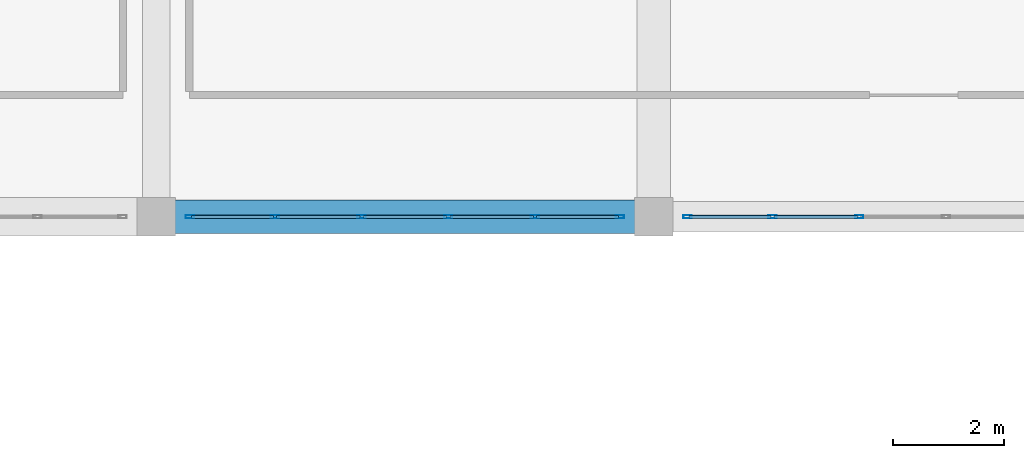
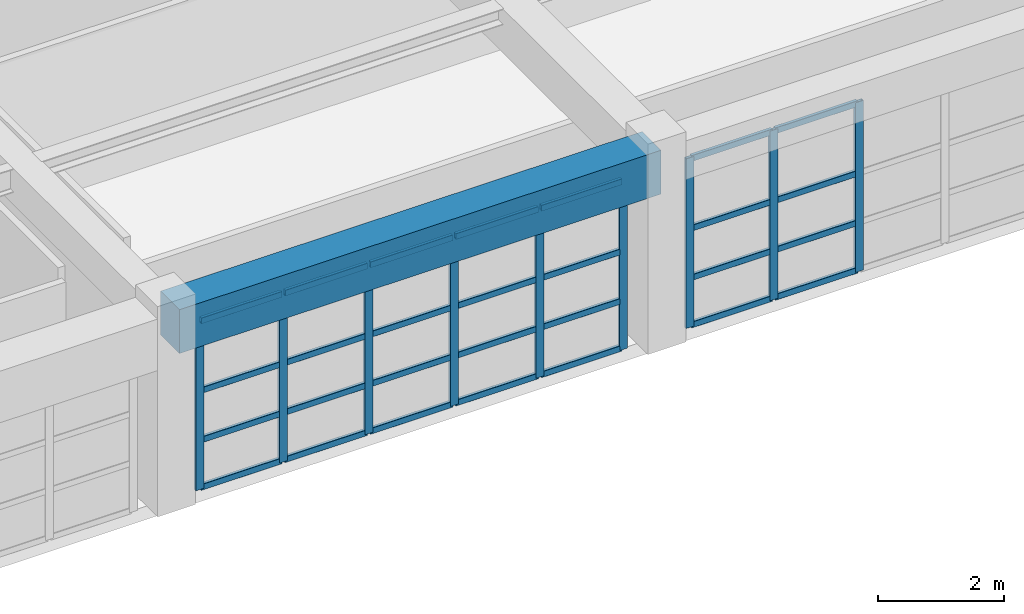
# One storey, part 63 of 130: 37 members, 1 beam, 2 elements without a shape of their own.
"""IFC4 building model written with IfcOpenShell, lengths in metres."""

from ifc_helpers import new_model, si_unit, direction, frame, origin, origin_2d, place, context, subcontext, project, spatial, rectangle, hollow_rectangle, extrude, material, material_profile, profile_set, type_object, element, aggregate, save


model = new_model("IFC4")

# Units and contexts
model_context = context("Model", 3, precision=1e-05, world=origin(), true_north=direction((0.0, 1.0)))
body_context = subcontext(model_context, "Body", "Model", "MODEL_VIEW")
ifc_project = project(units=[si_unit("LENGTHUNIT", "METRE"), si_unit("AREAUNIT", "SQUARE_METRE"), si_unit("VOLUMEUNIT", "CUBIC_METRE"), si_unit("PLANEANGLEUNIT", "RADIAN"), si_unit("MASSUNIT", "GRAM", prefix="KILO")], contexts=[model_context])

# Site, building, storey
site_placement = place(None, origin())
site = spatial("IfcSite", under=ifc_project, at=site_placement, CompositionType="ELEMENT")
building_placement = place(site_placement, origin())
building = spatial("IfcBuilding", under=site, at=building_placement, Name="Miravela Opera House", CompositionType="ELEMENT")
storey_placement = place(building_placement, frame((0.0, 0.0, 9.52001953125)))
storey = spatial("IfcBuildingStorey", under=building, at=storey_placement, Name="L02", CompositionType="ELEMENT", Elevation=9.52001953125)

# Curtain wall, members
ifc_material_1 = material(Name="Anodised architectural bronze aluminium 6063-T6", Category="aluminium")
curtain_wall_type = type_object("IfcCurtainWallType", Name="ARC-CW-05", PredefinedType="NOTDEFINED", material=ifc_material_1)
curtain_wall_1_placement = place(storey_placement, origin())
curtain_wall_1 = element("IfcCurtainWall", 1, at=curtain_wall_1_placement, inside=storey, type_object=curtain_wall_type, Name="Courtyard Arcade Curtain Wall CW-L02-092", PredefinedType="NOTDEFINED")
ifc_material_profile_1 = material_profile(ifc_material_1, hollow_rectangle(XDim=0.06005859375, YDim=0.14990234375, WallThickness=0.00390625, InnerFilletRadius=0.001953125, OuterFilletRadius=0.00390625, at=origin_2d()), Name="CWM-60X150")
ifc_profile_set_1 = profile_set([ifc_material_profile_1])
member_type_1 = type_object("IfcMemberType", Name="ARC-CWM-150", PredefinedType="MULLION", material=ifc_profile_set_1)
member_1_placement = place(storey_placement, frame((36.610107421875, 103.0, 0.0), z_axis=(0.0, 0.0, 1.0), x_axis=(0.0, 1.0, 0.0)))
member_1 = element("IfcMember", 2, at=member_1_placement, type_object=member_type_1, Name="CW-05 mullion 1", PredefinedType="MULLION", context=body_context, shape_type="SweptSolid", body=[
    extrude(hollow_rectangle(XDim=0.06005859375, YDim=0.14990234375, WallThickness=0.00390625, InnerFilletRadius=0.001953125, OuterFilletRadius=0.00390625, at=origin_2d()), origin(), (0.0, 0.0, 1.0), 3.2900390625),
])
member_2_placement = place(storey_placement, frame((38.14794921875, 103.0, 0.0), z_axis=(0.0, 0.0, 1.0), x_axis=(0.0, 1.0, 0.0)))
member_2 = element("IfcMember", 3, at=member_2_placement, type_object=member_type_1, Name="CW-05 mullion 2", PredefinedType="MULLION", context=body_context, shape_type="SweptSolid", body=[
    extrude(hollow_rectangle(XDim=0.06005859375, YDim=0.14990234375, WallThickness=0.00390625, InnerFilletRadius=0.001953125, OuterFilletRadius=0.00390625, at=origin_2d()), origin(), (0.0, 0.0, 1.0), 3.2900390625),
])
member_3_placement = place(storey_placement, frame((39.716064453125, 103.0, 0.0), z_axis=(0.0, 0.0, 1.0), x_axis=(0.0, 1.0, 0.0)))
member_3 = element("IfcMember", 4, at=member_3_placement, type_object=member_type_1, Name="CW-05 mullion 3", PredefinedType="MULLION", context=body_context, shape_type="SweptSolid", body=[
    extrude(hollow_rectangle(XDim=0.06005859375, YDim=0.14990234375, WallThickness=0.00390625, InnerFilletRadius=0.001953125, OuterFilletRadius=0.00390625, at=origin_2d()), origin(), (0.0, 0.0, 1.0), 3.2900390625),
])
member_4_placement = place(storey_placement, frame((41.283935546875, 103.0, 0.0), z_axis=(0.0, 0.0, 1.0), x_axis=(0.0, 1.0, 0.0)))
member_4 = element("IfcMember", 5, at=member_4_placement, type_object=member_type_1, Name="CW-05 mullion 4", PredefinedType="MULLION", context=body_context, shape_type="SweptSolid", body=[
    extrude(hollow_rectangle(XDim=0.06005859375, YDim=0.14990234375, WallThickness=0.00390625, InnerFilletRadius=0.001953125, OuterFilletRadius=0.00390625, at=origin_2d()), origin(), (0.0, 0.0, 1.0), 3.2900390625),
])
member_5_placement = place(storey_placement, frame((42.85205078125, 103.0, 0.0), z_axis=(0.0, 0.0, 1.0), x_axis=(0.0, 1.0, 0.0)))
member_5 = element("IfcMember", 6, at=member_5_placement, type_object=member_type_1, Name="CW-05 mullion 5", PredefinedType="MULLION", context=body_context, shape_type="SweptSolid", body=[
    extrude(hollow_rectangle(XDim=0.06005859375, YDim=0.14990234375, WallThickness=0.00390625, InnerFilletRadius=0.001953125, OuterFilletRadius=0.00390625, at=origin_2d()), origin(), (0.0, 0.0, 1.0), 3.2900390625),
])
member_6_placement = place(storey_placement, frame((44.389892578125, 103.0, 0.0), z_axis=(0.0, 0.0, 1.0), x_axis=(0.0, 1.0, 0.0)))
member_6 = element("IfcMember", 7, at=member_6_placement, type_object=member_type_1, Name="CW-05 mullion 6", PredefinedType="MULLION", context=body_context, shape_type="SweptSolid", body=[
    extrude(hollow_rectangle(XDim=0.06005859375, YDim=0.14990234375, WallThickness=0.00390625, InnerFilletRadius=0.001953125, OuterFilletRadius=0.00390625, at=origin_2d()), origin(), (0.0, 0.0, 1.0), 3.2900390625),
])

curtain_wall_2_placement = place(storey_placement, origin())
curtain_wall_2 = element("IfcCurtainWall", 8, at=curtain_wall_2_placement, inside=storey, type_object=curtain_wall_type, Name="Courtyard Arcade Curtain Wall CW-L02-094", PredefinedType="NOTDEFINED")
member_7_placement = place(storey_placement, frame((45.610107421875, 103.0, 0.0), z_axis=(0.0, 0.0, 1.0), x_axis=(0.0, 1.0, 0.0)))
member_7 = element("IfcMember", 9, at=member_7_placement, type_object=member_type_1, Name="CW-05 mullion 1", PredefinedType="MULLION", context=body_context, shape_type="SweptSolid", body=[
    extrude(hollow_rectangle(XDim=0.06005859375, YDim=0.14990234375, WallThickness=0.00390625, InnerFilletRadius=0.001953125, OuterFilletRadius=0.00390625, at=origin_2d()), origin(), (0.0, 0.0, 1.0), 3.2900390625),
])
member_8_placement = place(storey_placement, frame((47.14794921875, 103.0, 0.0), z_axis=(0.0, 0.0, 1.0), x_axis=(0.0, 1.0, 0.0)))
member_8 = element("IfcMember", 10, at=member_8_placement, type_object=member_type_1, Name="CW-05 mullion 2", PredefinedType="MULLION", context=body_context, shape_type="SweptSolid", body=[
    extrude(hollow_rectangle(XDim=0.06005859375, YDim=0.14990234375, WallThickness=0.00390625, InnerFilletRadius=0.001953125, OuterFilletRadius=0.00390625, at=origin_2d()), origin(), (0.0, 0.0, 1.0), 3.2900390625),
])
member_9_placement = place(storey_placement, frame((48.716064453125, 103.0, 0.0), z_axis=(0.0, 0.0, 1.0), x_axis=(0.0, 1.0, 0.0)))
member_9 = element("IfcMember", 11, at=member_9_placement, type_object=member_type_1, Name="CW-05 mullion 3", PredefinedType="MULLION", context=body_context, shape_type="SweptSolid", body=[
    extrude(hollow_rectangle(XDim=0.06005859375, YDim=0.14990234375, WallThickness=0.00390625, InnerFilletRadius=0.001953125, OuterFilletRadius=0.00390625, at=origin_2d()), origin(), (0.0, 0.0, 1.0), 3.2900390625),
])

# Member
ifc_material_profile_2 = material_profile(ifc_material_1, hollow_rectangle(XDim=0.06005859375, YDim=0.114990234375, WallThickness=0.00390625, InnerFilletRadius=0.001953125, OuterFilletRadius=0.00390625, at=origin_2d()), Name="CWT-60X115")
ifc_profile_set_2 = profile_set([ifc_material_profile_2])
member_type_2 = type_object("IfcMemberType", Name="ARC-CWT-115", PredefinedType="USERDEFINED", material=ifc_profile_set_2)
member_10_placement = place(storey_placement, frame((36.639892578125, 103.0, 0.030029296875), z_axis=(1.0, 0.0, 0.0), x_axis=(0.0, 1.0, 0.0)))
member_10 = element("IfcMember", 12, at=member_10_placement, type_object=member_type_2, Name="CW-05 transom 1.1", ObjectType="TRANSOM", PredefinedType="USERDEFINED", context=body_context, shape_type="SweptSolid", body=[
    extrude(hollow_rectangle(XDim=0.06005859375, YDim=0.114990234375, WallThickness=0.00390625, InnerFilletRadius=0.001953125, OuterFilletRadius=0.00390625, at=origin_2d()), origin(), (0.0, 0.0, 1.0), 1.47802734375),
])

member_11_placement = place(storey_placement, frame((36.639892578125, 103.0, 0.949951171875), z_axis=(1.0, 0.0, 0.0), x_axis=(0.0, 1.0, 0.0)))
member_11 = element("IfcMember", 13, at=member_11_placement, type_object=member_type_2, Name="CW-05 transom 1.2", ObjectType="TRANSOM", PredefinedType="USERDEFINED", context=body_context, shape_type="SweptSolid", body=[
    extrude(hollow_rectangle(XDim=0.06005859375, YDim=0.114990234375, WallThickness=0.00390625, InnerFilletRadius=0.001953125, OuterFilletRadius=0.00390625, at=origin_2d()), origin(), (0.0, 0.0, 1.0), 1.47802734375),
])

member_12_placement = place(storey_placement, frame((36.639892578125, 103.0, 1.908203125), z_axis=(1.0, 0.0, 0.0), x_axis=(0.0, 1.0, 0.0)))
member_12 = element("IfcMember", 14, at=member_12_placement, type_object=member_type_2, Name="CW-05 transom 1.3", ObjectType="TRANSOM", PredefinedType="USERDEFINED", context=body_context, shape_type="SweptSolid", body=[
    extrude(hollow_rectangle(XDim=0.06005859375, YDim=0.114990234375, WallThickness=0.00390625, InnerFilletRadius=0.001953125, OuterFilletRadius=0.00390625, at=origin_2d()), origin(), (0.0, 0.0, 1.0), 1.47802734375),
])

member_13_placement = place(storey_placement, frame((36.639892578125, 103.0, 3.260009765625), z_axis=(1.0, 0.0, 0.0), x_axis=(0.0, 1.0, 0.0)))
member_13 = element("IfcMember", 15, at=member_13_placement, type_object=member_type_2, Name="CW-05 transom 1.4", ObjectType="TRANSOM", PredefinedType="USERDEFINED", context=body_context, shape_type="SweptSolid", body=[
    extrude(hollow_rectangle(XDim=0.06005859375, YDim=0.114990234375, WallThickness=0.00390625, InnerFilletRadius=0.001953125, OuterFilletRadius=0.00390625, at=origin_2d()), origin(), (0.0, 0.0, 1.0), 1.47802734375),
])

member_14_placement = place(storey_placement, frame((38.177978515625, 103.0, 0.030029296875), z_axis=(1.0, 0.0, 0.0), x_axis=(0.0, 1.0, 0.0)))
member_14 = element("IfcMember", 16, at=member_14_placement, type_object=member_type_2, Name="CW-05 transom 2.1", ObjectType="TRANSOM", PredefinedType="USERDEFINED", context=body_context, shape_type="SweptSolid", body=[
    extrude(hollow_rectangle(XDim=0.06005859375, YDim=0.114990234375, WallThickness=0.00390625, InnerFilletRadius=0.001953125, OuterFilletRadius=0.00390625, at=origin_2d()), origin(), (0.0, 0.0, 1.0), 1.508056640625),
])

member_15_placement = place(storey_placement, frame((38.177978515625, 103.0, 0.949951171875), z_axis=(1.0, 0.0, 0.0), x_axis=(0.0, 1.0, 0.0)))
member_15 = element("IfcMember", 17, at=member_15_placement, type_object=member_type_2, Name="CW-05 transom 2.2", ObjectType="TRANSOM", PredefinedType="USERDEFINED", context=body_context, shape_type="SweptSolid", body=[
    extrude(hollow_rectangle(XDim=0.06005859375, YDim=0.114990234375, WallThickness=0.00390625, InnerFilletRadius=0.001953125, OuterFilletRadius=0.00390625, at=origin_2d()), origin(), (0.0, 0.0, 1.0), 1.508056640625),
])

member_16_placement = place(storey_placement, frame((38.177978515625, 103.0, 1.908203125), z_axis=(1.0, 0.0, 0.0), x_axis=(0.0, 1.0, 0.0)))
member_16 = element("IfcMember", 18, at=member_16_placement, type_object=member_type_2, Name="CW-05 transom 2.3", ObjectType="TRANSOM", PredefinedType="USERDEFINED", context=body_context, shape_type="SweptSolid", body=[
    extrude(hollow_rectangle(XDim=0.06005859375, YDim=0.114990234375, WallThickness=0.00390625, InnerFilletRadius=0.001953125, OuterFilletRadius=0.00390625, at=origin_2d()), origin(), (0.0, 0.0, 1.0), 1.508056640625),
])

member_17_placement = place(storey_placement, frame((38.177978515625, 103.0, 3.260009765625), z_axis=(1.0, 0.0, 0.0), x_axis=(0.0, 1.0, 0.0)))
member_17 = element("IfcMember", 19, at=member_17_placement, type_object=member_type_2, Name="CW-05 transom 2.4", ObjectType="TRANSOM", PredefinedType="USERDEFINED", context=body_context, shape_type="SweptSolid", body=[
    extrude(hollow_rectangle(XDim=0.06005859375, YDim=0.114990234375, WallThickness=0.00390625, InnerFilletRadius=0.001953125, OuterFilletRadius=0.00390625, at=origin_2d()), origin(), (0.0, 0.0, 1.0), 1.508056640625),
])

member_18_placement = place(storey_placement, frame((39.74609375, 103.0, 0.030029296875), z_axis=(1.0, 0.0, 0.0), x_axis=(0.0, 1.0, 0.0)))
member_18 = element("IfcMember", 20, at=member_18_placement, type_object=member_type_2, Name="CW-05 transom 3.1", ObjectType="TRANSOM", PredefinedType="USERDEFINED", context=body_context, shape_type="SweptSolid", body=[
    extrude(hollow_rectangle(XDim=0.06005859375, YDim=0.114990234375, WallThickness=0.00390625, InnerFilletRadius=0.001953125, OuterFilletRadius=0.00390625, at=origin_2d()), origin(), (0.0, 0.0, 1.0), 1.5078125),
])

member_19_placement = place(storey_placement, frame((39.74609375, 103.0, 0.949951171875), z_axis=(1.0, 0.0, 0.0), x_axis=(0.0, 1.0, 0.0)))
member_19 = element("IfcMember", 21, at=member_19_placement, type_object=member_type_2, Name="CW-05 transom 3.2", ObjectType="TRANSOM", PredefinedType="USERDEFINED", context=body_context, shape_type="SweptSolid", body=[
    extrude(hollow_rectangle(XDim=0.06005859375, YDim=0.114990234375, WallThickness=0.00390625, InnerFilletRadius=0.001953125, OuterFilletRadius=0.00390625, at=origin_2d()), origin(), (0.0, 0.0, 1.0), 1.5078125),
])

member_20_placement = place(storey_placement, frame((39.74609375, 103.0, 1.908203125), z_axis=(1.0, 0.0, 0.0), x_axis=(0.0, 1.0, 0.0)))
member_20 = element("IfcMember", 22, at=member_20_placement, type_object=member_type_2, Name="CW-05 transom 3.3", ObjectType="TRANSOM", PredefinedType="USERDEFINED", context=body_context, shape_type="SweptSolid", body=[
    extrude(hollow_rectangle(XDim=0.06005859375, YDim=0.114990234375, WallThickness=0.00390625, InnerFilletRadius=0.001953125, OuterFilletRadius=0.00390625, at=origin_2d()), origin(), (0.0, 0.0, 1.0), 1.5078125),
])

member_21_placement = place(storey_placement, frame((39.74609375, 103.0, 3.260009765625), z_axis=(1.0, 0.0, 0.0), x_axis=(0.0, 1.0, 0.0)))
member_21 = element("IfcMember", 23, at=member_21_placement, type_object=member_type_2, Name="CW-05 transom 3.4", ObjectType="TRANSOM", PredefinedType="USERDEFINED", context=body_context, shape_type="SweptSolid", body=[
    extrude(hollow_rectangle(XDim=0.06005859375, YDim=0.114990234375, WallThickness=0.00390625, InnerFilletRadius=0.001953125, OuterFilletRadius=0.00390625, at=origin_2d()), origin(), (0.0, 0.0, 1.0), 1.5078125),
])

member_22_placement = place(storey_placement, frame((41.31396484375, 103.0, 0.030029296875), z_axis=(1.0, 0.0, 0.0), x_axis=(0.0, 1.0, 0.0)))
member_22 = element("IfcMember", 24, at=member_22_placement, type_object=member_type_2, Name="CW-05 transom 4.1", ObjectType="TRANSOM", PredefinedType="USERDEFINED", context=body_context, shape_type="SweptSolid", body=[
    extrude(hollow_rectangle(XDim=0.06005859375, YDim=0.114990234375, WallThickness=0.00390625, InnerFilletRadius=0.001953125, OuterFilletRadius=0.00390625, at=origin_2d()), origin(), (0.0, 0.0, 1.0), 1.508056640625),
])

member_23_placement = place(storey_placement, frame((41.31396484375, 103.0, 0.949951171875), z_axis=(1.0, 0.0, 0.0), x_axis=(0.0, 1.0, 0.0)))
member_23 = element("IfcMember", 25, at=member_23_placement, type_object=member_type_2, Name="CW-05 transom 4.2", ObjectType="TRANSOM", PredefinedType="USERDEFINED", context=body_context, shape_type="SweptSolid", body=[
    extrude(hollow_rectangle(XDim=0.06005859375, YDim=0.114990234375, WallThickness=0.00390625, InnerFilletRadius=0.001953125, OuterFilletRadius=0.00390625, at=origin_2d()), origin(), (0.0, 0.0, 1.0), 1.508056640625),
])

member_24_placement = place(storey_placement, frame((41.31396484375, 103.0, 1.908203125), z_axis=(1.0, 0.0, 0.0), x_axis=(0.0, 1.0, 0.0)))
member_24 = element("IfcMember", 26, at=member_24_placement, type_object=member_type_2, Name="CW-05 transom 4.3", ObjectType="TRANSOM", PredefinedType="USERDEFINED", context=body_context, shape_type="SweptSolid", body=[
    extrude(hollow_rectangle(XDim=0.06005859375, YDim=0.114990234375, WallThickness=0.00390625, InnerFilletRadius=0.001953125, OuterFilletRadius=0.00390625, at=origin_2d()), origin(), (0.0, 0.0, 1.0), 1.508056640625),
])

member_25_placement = place(storey_placement, frame((41.31396484375, 103.0, 3.260009765625), z_axis=(1.0, 0.0, 0.0), x_axis=(0.0, 1.0, 0.0)))
member_25 = element("IfcMember", 27, at=member_25_placement, type_object=member_type_2, Name="CW-05 transom 4.4", ObjectType="TRANSOM", PredefinedType="USERDEFINED", context=body_context, shape_type="SweptSolid", body=[
    extrude(hollow_rectangle(XDim=0.06005859375, YDim=0.114990234375, WallThickness=0.00390625, InnerFilletRadius=0.001953125, OuterFilletRadius=0.00390625, at=origin_2d()), origin(), (0.0, 0.0, 1.0), 1.508056640625),
])

member_26_placement = place(storey_placement, frame((42.882080078125, 103.0, 0.030029296875), z_axis=(1.0, 0.0, 0.0), x_axis=(0.0, 1.0, 0.0)))
member_26 = element("IfcMember", 28, at=member_26_placement, type_object=member_type_2, Name="CW-05 transom 5.1", ObjectType="TRANSOM", PredefinedType="USERDEFINED", context=body_context, shape_type="SweptSolid", body=[
    extrude(hollow_rectangle(XDim=0.06005859375, YDim=0.114990234375, WallThickness=0.00390625, InnerFilletRadius=0.001953125, OuterFilletRadius=0.00390625, at=origin_2d()), origin(), (0.0, 0.0, 1.0), 1.47802734375),
])

member_27_placement = place(storey_placement, frame((42.882080078125, 103.0, 0.949951171875), z_axis=(1.0, 0.0, 0.0), x_axis=(0.0, 1.0, 0.0)))
member_27 = element("IfcMember", 29, at=member_27_placement, type_object=member_type_2, Name="CW-05 transom 5.2", ObjectType="TRANSOM", PredefinedType="USERDEFINED", context=body_context, shape_type="SweptSolid", body=[
    extrude(hollow_rectangle(XDim=0.06005859375, YDim=0.114990234375, WallThickness=0.00390625, InnerFilletRadius=0.001953125, OuterFilletRadius=0.00390625, at=origin_2d()), origin(), (0.0, 0.0, 1.0), 1.47802734375),
])

member_28_placement = place(storey_placement, frame((42.882080078125, 103.0, 1.908203125), z_axis=(1.0, 0.0, 0.0), x_axis=(0.0, 1.0, 0.0)))
member_28 = element("IfcMember", 30, at=member_28_placement, type_object=member_type_2, Name="CW-05 transom 5.3", ObjectType="TRANSOM", PredefinedType="USERDEFINED", context=body_context, shape_type="SweptSolid", body=[
    extrude(hollow_rectangle(XDim=0.06005859375, YDim=0.114990234375, WallThickness=0.00390625, InnerFilletRadius=0.001953125, OuterFilletRadius=0.00390625, at=origin_2d()), origin(), (0.0, 0.0, 1.0), 1.47802734375),
])

member_29_placement = place(storey_placement, frame((42.882080078125, 103.0, 3.260009765625), z_axis=(1.0, 0.0, 0.0), x_axis=(0.0, 1.0, 0.0)))
member_29 = element("IfcMember", 31, at=member_29_placement, type_object=member_type_2, Name="CW-05 transom 5.4", ObjectType="TRANSOM", PredefinedType="USERDEFINED", context=body_context, shape_type="SweptSolid", body=[
    extrude(hollow_rectangle(XDim=0.06005859375, YDim=0.114990234375, WallThickness=0.00390625, InnerFilletRadius=0.001953125, OuterFilletRadius=0.00390625, at=origin_2d()), origin(), (0.0, 0.0, 1.0), 1.47802734375),
])

aggregate(curtain_wall_1, [member_1, member_2, member_3, member_4, member_5, member_6, member_10, member_11, member_12, member_13, member_14, member_15, member_16, member_17, member_18, member_19, member_20, member_21, member_22, member_23, member_24, member_25, member_26, member_27, member_28, member_29])

member_30_placement = place(storey_placement, frame((45.639892578125, 103.0, 0.030029296875), z_axis=(1.0, 0.0, 0.0), x_axis=(0.0, 1.0, 0.0)))
member_30 = element("IfcMember", 32, at=member_30_placement, type_object=member_type_2, Name="CW-05 transom 1.1", ObjectType="TRANSOM", PredefinedType="USERDEFINED", context=body_context, shape_type="SweptSolid", body=[
    extrude(hollow_rectangle(XDim=0.06005859375, YDim=0.114990234375, WallThickness=0.00390625, InnerFilletRadius=0.001953125, OuterFilletRadius=0.00390625, at=origin_2d()), origin(), (0.0, 0.0, 1.0), 1.47802734375),
])

member_31_placement = place(storey_placement, frame((45.639892578125, 103.0, 0.949951171875), z_axis=(1.0, 0.0, 0.0), x_axis=(0.0, 1.0, 0.0)))
member_31 = element("IfcMember", 33, at=member_31_placement, type_object=member_type_2, Name="CW-05 transom 1.2", ObjectType="TRANSOM", PredefinedType="USERDEFINED", context=body_context, shape_type="SweptSolid", body=[
    extrude(hollow_rectangle(XDim=0.06005859375, YDim=0.114990234375, WallThickness=0.00390625, InnerFilletRadius=0.001953125, OuterFilletRadius=0.00390625, at=origin_2d()), origin(), (0.0, 0.0, 1.0), 1.47802734375),
])

member_32_placement = place(storey_placement, frame((45.639892578125, 103.0, 1.908203125), z_axis=(1.0, 0.0, 0.0), x_axis=(0.0, 1.0, 0.0)))
member_32 = element("IfcMember", 34, at=member_32_placement, type_object=member_type_2, Name="CW-05 transom 1.3", ObjectType="TRANSOM", PredefinedType="USERDEFINED", context=body_context, shape_type="SweptSolid", body=[
    extrude(hollow_rectangle(XDim=0.06005859375, YDim=0.114990234375, WallThickness=0.00390625, InnerFilletRadius=0.001953125, OuterFilletRadius=0.00390625, at=origin_2d()), origin(), (0.0, 0.0, 1.0), 1.47802734375),
])

member_33_placement = place(storey_placement, frame((45.639892578125, 103.0, 3.260009765625), z_axis=(1.0, 0.0, 0.0), x_axis=(0.0, 1.0, 0.0)))
member_33 = element("IfcMember", 35, at=member_33_placement, type_object=member_type_2, Name="CW-05 transom 1.4", ObjectType="TRANSOM", PredefinedType="USERDEFINED", context=body_context, shape_type="SweptSolid", body=[
    extrude(hollow_rectangle(XDim=0.06005859375, YDim=0.114990234375, WallThickness=0.00390625, InnerFilletRadius=0.001953125, OuterFilletRadius=0.00390625, at=origin_2d()), origin(), (0.0, 0.0, 1.0), 1.47802734375),
])

member_34_placement = place(storey_placement, frame((47.177978515625, 103.0, 0.030029296875), z_axis=(1.0, 0.0, 0.0), x_axis=(0.0, 1.0, 0.0)))
member_34 = element("IfcMember", 36, at=member_34_placement, type_object=member_type_2, Name="CW-05 transom 2.1", ObjectType="TRANSOM", PredefinedType="USERDEFINED", context=body_context, shape_type="SweptSolid", body=[
    extrude(hollow_rectangle(XDim=0.06005859375, YDim=0.114990234375, WallThickness=0.00390625, InnerFilletRadius=0.001953125, OuterFilletRadius=0.00390625, at=origin_2d()), origin(), (0.0, 0.0, 1.0), 1.508056640625),
])

member_35_placement = place(storey_placement, frame((47.177978515625, 103.0, 0.949951171875), z_axis=(1.0, 0.0, 0.0), x_axis=(0.0, 1.0, 0.0)))
member_35 = element("IfcMember", 37, at=member_35_placement, type_object=member_type_2, Name="CW-05 transom 2.2", ObjectType="TRANSOM", PredefinedType="USERDEFINED", context=body_context, shape_type="SweptSolid", body=[
    extrude(hollow_rectangle(XDim=0.06005859375, YDim=0.114990234375, WallThickness=0.00390625, InnerFilletRadius=0.001953125, OuterFilletRadius=0.00390625, at=origin_2d()), origin(), (0.0, 0.0, 1.0), 1.508056640625),
])

member_36_placement = place(storey_placement, frame((47.177978515625, 103.0, 1.908203125), z_axis=(1.0, 0.0, 0.0), x_axis=(0.0, 1.0, 0.0)))
member_36 = element("IfcMember", 38, at=member_36_placement, type_object=member_type_2, Name="CW-05 transom 2.3", ObjectType="TRANSOM", PredefinedType="USERDEFINED", context=body_context, shape_type="SweptSolid", body=[
    extrude(hollow_rectangle(XDim=0.06005859375, YDim=0.114990234375, WallThickness=0.00390625, InnerFilletRadius=0.001953125, OuterFilletRadius=0.00390625, at=origin_2d()), origin(), (0.0, 0.0, 1.0), 1.508056640625),
])

member_37_placement = place(storey_placement, frame((47.177978515625, 103.0, 3.260009765625), z_axis=(1.0, 0.0, 0.0), x_axis=(0.0, 1.0, 0.0)))
member_37 = element("IfcMember", 39, at=member_37_placement, type_object=member_type_2, Name="CW-05 transom 2.4", ObjectType="TRANSOM", PredefinedType="USERDEFINED", context=body_context, shape_type="SweptSolid", body=[
    extrude(hollow_rectangle(XDim=0.06005859375, YDim=0.114990234375, WallThickness=0.00390625, InnerFilletRadius=0.001953125, OuterFilletRadius=0.00390625, at=origin_2d()), origin(), (0.0, 0.0, 1.0), 1.508056640625),
])

aggregate(curtain_wall_2, [member_7, member_8, member_9, member_30, member_31, member_32, member_33, member_34, member_35, member_36, member_37])

# Beam
ifc_material_2 = material(Name="Concrete C40/50", Category="concrete")
ifc_material_profile_3 = material_profile(ifc_material_2, rectangle(XDim=0.60009765625, YDim=0.85009765625, at=origin_2d()), Name="RC-BM-600X850")
ifc_profile_set_3 = profile_set([ifc_material_profile_3])
beam_type = type_object("IfcBeamType", Name="STR-BM-RC600X850", PredefinedType="BEAM", material=ifc_profile_set_3)
beam_placement = place(storey_placement, frame((36.080078125, 103.0, 3.4150390625), z_axis=(1.0, 0.0, 0.0), x_axis=(0.0, 1.0, 0.0)))
element("IfcBeam", 40, at=beam_placement, inside=storey, type_object=beam_type, Name="Floor Girder L02 5-6/L", PredefinedType="BEAM", context=body_context, shape_type="SweptSolid", body=[
    extrude(rectangle(XDim=0.60009765625, YDim=0.85009765625, at=origin_2d()), origin(), (0.0, 0.0, 1.0), 8.83984375),
])

save(model, "model.ifc")
